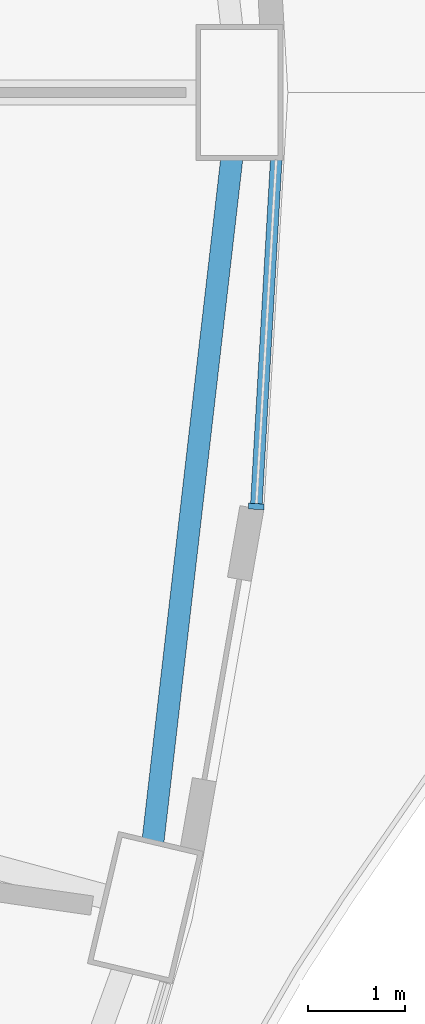
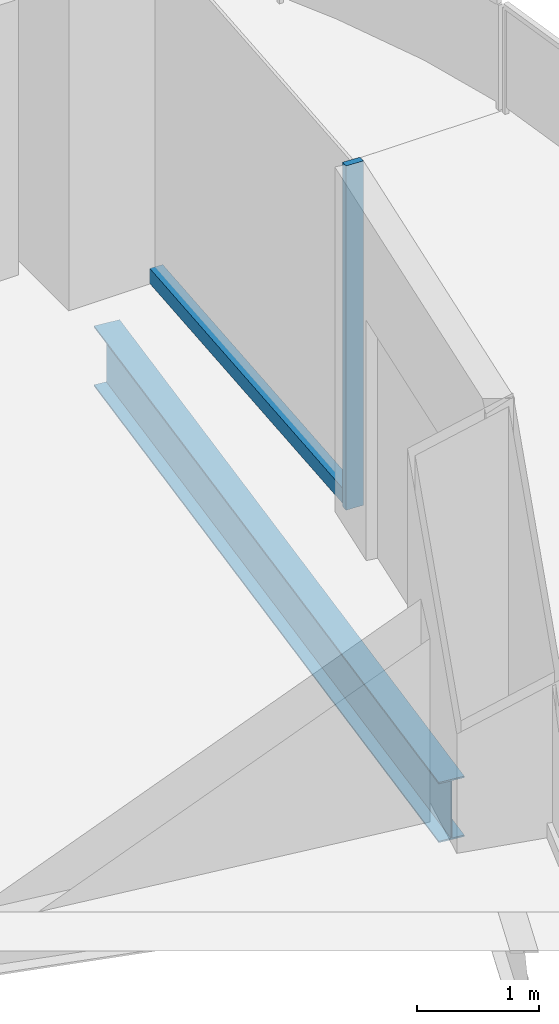
# One storey, part 6 of 22: 2 members, 1 beam, 1 element without a shape of its own.
"""IFC4 building model written with IfcOpenShell, lengths in metres."""

from ifc_helpers import new_model, si_unit, direction, frame, origin, origin_2d, place, context, subcontext, project, spatial, rectangle, i_section, extrude, material, layer, layer_set, material_profile, profile_set, type_object, element, aggregate, save


model = new_model("IFC4")

# Units and contexts
model_context = context("Model", 3, precision=1e-05, world=origin(), true_north=direction((0.0, 1.0)))
body_context = subcontext(model_context, "Body", "Model", "MODEL_VIEW")
ifc_project = project(units=[si_unit("LENGTHUNIT", "METRE"), si_unit("AREAUNIT", "SQUARE_METRE"), si_unit("VOLUMEUNIT", "CUBIC_METRE"), si_unit("PLANEANGLEUNIT", "RADIAN"), si_unit("MASSUNIT", "GRAM", prefix="KILO")], contexts=[model_context])

# Site, building, storey
site_placement = place(None, origin())
site = spatial("IfcSite", under=ifc_project, at=site_placement, CompositionType="ELEMENT")
building_placement = place(site_placement, origin())
building = spatial("IfcBuilding", under=site, at=building_placement, Name="Nagisa Residences", CompositionType="ELEMENT")
storey_placement = place(building_placement, frame((0.0, 0.0, 34.39990234375)))
storey = spatial("IfcBuildingStorey", under=building, at=storey_placement, Name="L07", CompositionType="ELEMENT", Elevation=34.39990234375)

# Curtain wall, members
ifc_material_1 = material(Name="Concrete-coloured aluminium curtain wall system", Category="concrete")
ifc_layer = layer(ifc_material_1, 0.159912109375)
ifc_layer_set = layer_set([ifc_layer], Name="CW1 CURTAIN WALL")
curtain_wall_type = type_object("IfcCurtainWallType", Name="CW1 CURTAIN WALL", PredefinedType="NOTDEFINED", material=ifc_layer_set)
curtain_wall_placement = place(storey_placement, origin())
curtain_wall = element("IfcCurtainWall", 1, at=curtain_wall_placement, inside=storey, type_object=curtain_wall_type, Name="cw:CW1:L07:47", PredefinedType="NOTDEFINED")
ifc_material_2 = material(Name="Concrete-coloured aluminium", Category="concrete")
ifc_material_profile_1 = material_profile(ifc_material_2, rectangle(XDim=0.159912109375, YDim=0.06005859375, at=origin_2d()), Name="CW1 MULLION 160x60")
ifc_profile_set_1 = profile_set([ifc_material_profile_1], Name="Concrete-coloured aluminium")
member_type_1 = type_object("IfcMemberType", Name="CW1 MULLION 160x60", PredefinedType="MULLION", material=ifc_profile_set_1)
member_1_placement = place(storey_placement, frame((32.273681640625, -4.272705078125, 0.0), z_axis=(0.0, 0.0, 1.0), x_axis=(-0.998345305184, 0.057503492216, 0.0)))
member_1 = element("IfcMember", 2, at=member_1_placement, type_object=member_type_1, Name="CW1 mullion", PredefinedType="MULLION", context=body_context, shape_type="SweptSolid", body=[
    extrude(rectangle(XDim=0.159912109375, YDim=0.06005859375, at=origin_2d()), origin(), (0.0, 0.0, 1.0), 3.440185546875),
])
ifc_material_3 = material(Name="Concrete-coloured aluminium", Category="concrete")
ifc_material_profile_2 = material_profile(ifc_material_3, rectangle(XDim=0.1201171875, YDim=0.14990234375, at=origin_2d()), Name="CW1 TRANSOM 120x150")
ifc_profile_set_2 = profile_set([ifc_material_profile_2], Name="Concrete-coloured aluminium")
member_type_2 = type_object("IfcMemberType", Name="CW1 TRANSOM 120x150", PredefinedType="USERDEFINED", material=ifc_profile_set_2)
member_2_placement = place(storey_placement, frame((32.27197265625, -4.302734375, 0.0751953125), z_axis=(0.057549926952, 0.998342629515, 0.0), x_axis=(-0.998342629515, 0.057549926952, 0.0)))
member_2 = element("IfcMember", 3, at=member_2_placement, type_object=member_type_2, Name="CW1 transom", ObjectType="TRANSOM", PredefinedType="USERDEFINED", context=body_context, shape_type="SweptSolid", body=[
    extrude(rectangle(XDim=0.1201171875, YDim=0.14990234375, at=origin_2d()), origin(), (0.0, 0.0, 1.0), 3.614501953125),
])
aggregate(curtain_wall, [member_1, member_2])

# Beam
ifc_material_4 = material(Name="Steel ASTM A572 Gr 50", Category="steel")
ifc_material_profile_3 = material_profile(ifc_material_4, i_section(OverallWidth=0.22802734375, OverallDepth=0.60302734375, WebThickness=0.010498046875, FlangeThickness=0.014892578125, at=origin_2d()), Name="W610x101")
ifc_profile_set_3 = profile_set([ifc_material_profile_3], Name="Steel ASTM A572 Gr 50")
beam_type = type_object("IfcBeamType", Name="Perimeter ring beam W610x101", PredefinedType="BEAM", material=ifc_profile_set_3)
beam_placement = place(storey_placement, frame((31.20751953125, -7.7314453125, -0.5615234375), z_axis=(0.114673717321, 0.993403210462, 0.0), x_axis=(-0.993403210462, 0.114673717321, 0.0)))
element("IfcBeam", 4, at=beam_placement, inside=storey, type_object=beam_type, Name="beam:L07:pb24", PredefinedType="BEAM", context=body_context, shape_type="SweptSolid", body=[
    extrude(i_section(OverallWidth=0.22802734375, OverallDepth=0.60302734375, WebThickness=0.010498046875, FlangeThickness=0.014892578125, at=origin_2d()), origin(), (0.0, 0.0, 1.0), 7.09814453125),
])

save(model, "model.ifc")
